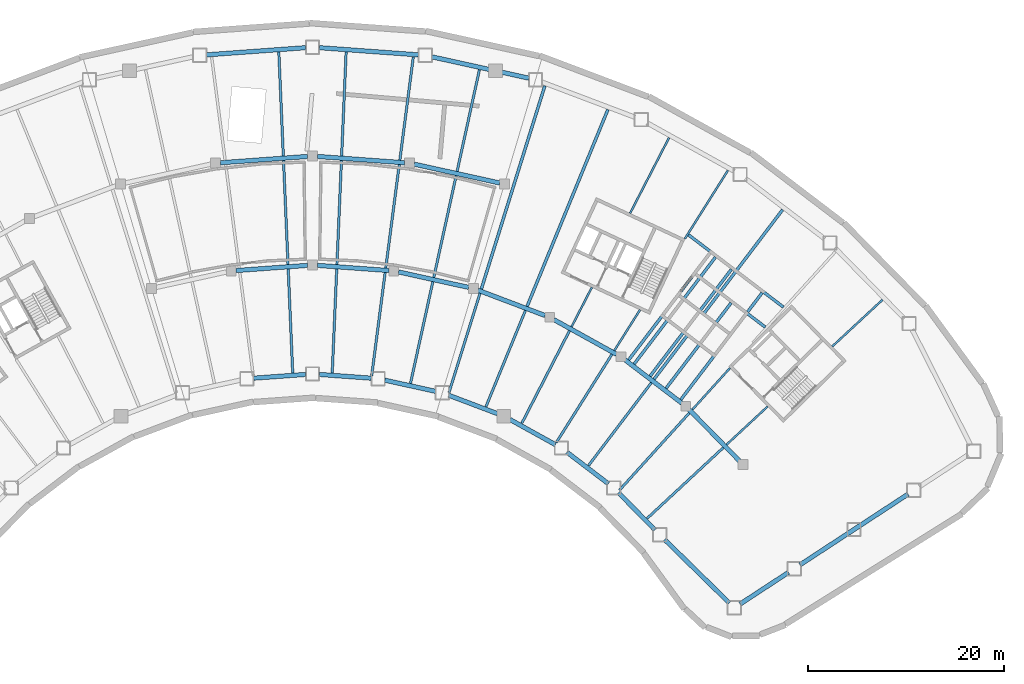
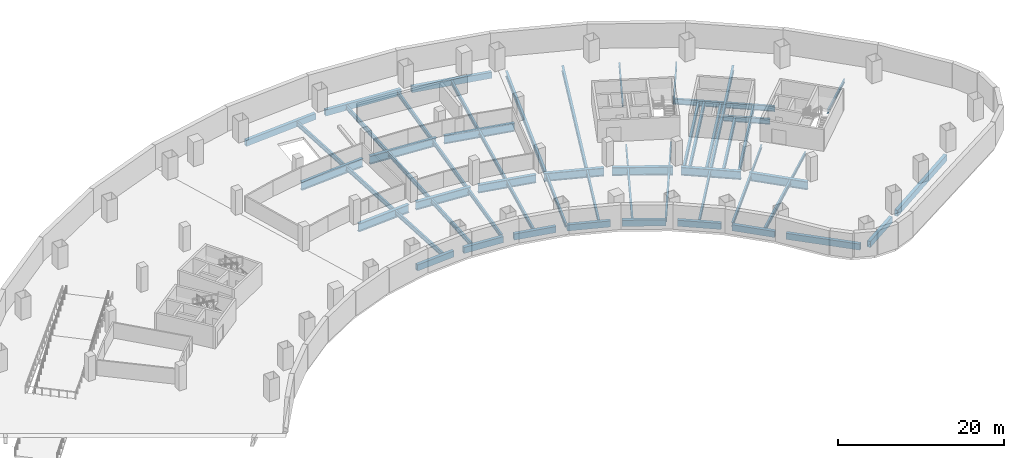
# One storey, part 2 of 10: 61 beams.
"""IFC4 building model written with IfcOpenShell, lengths in metres."""

from ifc_helpers import new_model, si_unit, direction, frame, origin, origin_2d, place, context, subcontext, project, spatial, hollow_rectangle, i_section, extrude, material, material_profile, profile_set, type_object, element, save


model = new_model("IFC4")

# Units and contexts
model_context = context("Model", 3, precision=1e-05, world=origin(), true_north=direction((0.0, 1.0)))
body_context = subcontext(model_context, "Body", "Model", "MODEL_VIEW")
ifc_project = project(units=[si_unit("LENGTHUNIT", "METRE"), si_unit("AREAUNIT", "SQUARE_METRE"), si_unit("VOLUMEUNIT", "CUBIC_METRE"), si_unit("PLANEANGLEUNIT", "RADIAN"), si_unit("MASSUNIT", "GRAM", prefix="KILO")], contexts=[model_context])

# Site, building, storey
site_placement = place(None, origin())
site = spatial("IfcSite", under=ifc_project, at=site_placement, CompositionType="ELEMENT")
building_placement = place(site_placement, origin())
building = spatial("IfcBuilding", under=site, at=building_placement, Name="Tuul Gate Civic Tower", CompositionType="ELEMENT")
storey_placement = place(building_placement, frame((0.0, 0.0, -8.10009765625)))
storey = spatial("IfcBuildingStorey", under=building, at=storey_placement, Name="Basement 2", CompositionType="ELEMENT", Elevation=-8.10009765625)

# Beams
ifc_material_1 = material(Name="Steel S355", Category="steel")
ifc_material_profile_1 = material_profile(ifc_material_1, i_section(OverallWidth=0.199951171875, OverallDepth=0.5, WebThickness=0.010009765625, FlangeThickness=0.01611328125, at=origin_2d()), Name="PG500x200x10x16")
ifc_profile_set_1 = profile_set([ifc_material_profile_1], Name="Steel S355")
beam_type_1 = type_object("IfcBeamType", Name="STR-FLOOR BEAM-PG500x200x10x16", PredefinedType="BEAM", material=ifc_profile_set_1)
beam_1_placement = place(storey_placement, frame((42.313232421875, -20.696533203125, -0.64990234375), z_axis=(0.732672121193, 0.680581782615, 0.0), x_axis=(-0.680581782615, 0.732672121193, 0.0)))
element("IfcBeam", 1, at=beam_1_placement, inside=storey, type_object=beam_type_1, Name="Floor beam", PredefinedType="BEAM", context=body_context, shape_type="SweptSolid", body=[
    extrude(i_section(OverallWidth=0.199951171875, OverallDepth=0.5, WebThickness=0.010009765625, FlangeThickness=0.01611328125, at=origin_2d()), origin(), (0.0, 0.0, 1.0), 5.73193359375),
])
beam_2_placement = place(storey_placement, frame((53.109375, -10.668212890625, -0.64990234375), z_axis=(0.732687862246, 0.680564836381, 0.0), x_axis=(-0.680564836381, 0.732687862246, 0.0)))
element("IfcBeam", 2, at=beam_2_placement, inside=storey, type_object=beam_type_1, Name="Floor beam", PredefinedType="BEAM", context=body_context, shape_type="SweptSolid", body=[
    extrude(i_section(OverallWidth=0.199951171875, OverallDepth=0.5, WebThickness=0.010009765625, FlangeThickness=0.01611328125, at=origin_2d()), origin(), (0.0, 0.0, 1.0), 6.997802734375),
])
beam_3_placement = place(storey_placement, frame((38.812255859375, -17.125, -0.64990234375), z_axis=(0.671102625073, 0.741364462744, 0.0), x_axis=(-0.741364462744, 0.671102625073, 0.0)))
element("IfcBeam", 3, at=beam_3_placement, inside=storey, type_object=beam_type_1, Name="Floor beam", PredefinedType="BEAM", context=body_context, shape_type="SweptSolid", body=[
    extrude(i_section(OverallWidth=0.199951171875, OverallDepth=0.5, WebThickness=0.010009765625, FlangeThickness=0.01611328125, at=origin_2d()), origin(), (0.0, 0.0, 1.0), 5.740234375),
])
beam_4_placement = place(storey_placement, frame((30.841552734375, -11.089599609375, -0.64990234375), z_axis=(0.533401895613, 0.845861937763, 0.0), x_axis=(-0.845861937763, 0.533401895613, 0.0)))
element("IfcBeam", 4, at=beam_4_placement, inside=storey, type_object=beam_type_1, Name="Floor beam", PredefinedType="BEAM", context=body_context, shape_type="SweptSolid", body=[
    extrude(i_section(OverallWidth=0.199951171875, OverallDepth=0.5, WebThickness=0.010009765625, FlangeThickness=0.01611328125, at=origin_2d()), origin(), (0.0, 0.0, 1.0), 4.92724609375),
])
beam_5_placement = place(storey_placement, frame((38.0400390625, 0.325927734375, -0.64990234375), z_axis=(0.53337261638, 0.845880400586, 0.0), x_axis=(-0.845880400586, 0.53337261638, 0.0)))
element("IfcBeam", 5, at=beam_5_placement, inside=storey, type_object=beam_type_1, Name="Floor beam", PredefinedType="BEAM", context=body_context, shape_type="SweptSolid", body=[
    extrude(i_section(OverallWidth=0.199951171875, OverallDepth=0.5, WebThickness=0.010009765625, FlangeThickness=0.01611328125, at=origin_2d()), origin(), (0.0, 0.0, 1.0), 8.263916015625),
])
beam_6_placement = place(storey_placement, frame((26.468017578125, -8.6650390625, -0.64990234375), z_axis=(0.458251317749, 0.88882266498, 0.0), x_axis=(-0.88882266498, 0.458251317749, 0.0)))
element("IfcBeam", 6, at=beam_6_placement, inside=storey, type_object=beam_type_1, Name="Floor beam", PredefinedType="BEAM", context=body_context, shape_type="SweptSolid", body=[
    extrude(i_section(OverallWidth=0.199951171875, OverallDepth=0.5, WebThickness=0.010009765625, FlangeThickness=0.01611328125, at=origin_2d()), origin(), (0.0, 0.0, 1.0), 4.54248046875),
])
beam_7_placement = place(storey_placement, frame((32.447998046875, 2.933349609375, -0.64990234375), z_axis=(0.458265539673, 0.888815332422, 0.0), x_axis=(-0.888815332422, 0.458265539673, 0.0)))
element("IfcBeam", 7, at=beam_7_placement, inside=storey, type_object=beam_type_1, Name="Floor beam", PredefinedType="BEAM", context=body_context, shape_type="SweptSolid", body=[
    extrude(i_section(OverallWidth=0.199951171875, OverallDepth=0.5, WebThickness=0.010009765625, FlangeThickness=0.01611328125, at=origin_2d()), origin(), (0.0, 0.0, 1.0), 8.685302734375),
])
ifc_material_2 = material(Name="Steel S355", Category="steel")
ifc_material_profile_2 = material_profile(ifc_material_2, i_section(OverallWidth=0.25, OverallDepth=0.64990234375, WebThickness=0.011962890625, FlangeThickness=0.02001953125, at=origin_2d()), Name="PG650x250x12x20")
ifc_profile_set_2 = profile_set([ifc_material_profile_2], Name="Steel S355")
beam_type_2 = type_object("IfcBeamType", Name="STR-FLOOR BEAM-PG650x250x12x20", PredefinedType="BEAM", material=ifc_profile_set_2)
beam_8_placement = place(storey_placement, frame((34.19580078125, -28.236572265625, -0.724853515625), z_axis=(0.732685493637, 0.680567386387, 0.0), x_axis=(-0.680567386387, 0.732685493637, 0.0)))
element("IfcBeam", 8, at=beam_8_placement, inside=storey, type_object=beam_type_2, Name="Floor beam", PredefinedType="BEAM", context=body_context, shape_type="SweptSolid", body=[
    extrude(i_section(OverallWidth=0.25, OverallDepth=0.64990234375, WebThickness=0.011962890625, FlangeThickness=0.02001953125, at=origin_2d()), origin(), (0.0, 0.0, 1.0), 10.62890625),
])
beam_9_placement = place(storey_placement, frame((31.366455078125, -25.35009765625, -0.724853515625), z_axis=(0.671117501912, 0.741350995567, 0.0), x_axis=(-0.741350995567, 0.671117501912, 0.0)))
element("IfcBeam", 9, at=beam_9_placement, inside=storey, type_object=beam_type_2, Name="Floor beam", PredefinedType="BEAM", context=body_context, shape_type="SweptSolid", body=[
    extrude(i_section(OverallWidth=0.25, OverallDepth=0.64990234375, WebThickness=0.011962890625, FlangeThickness=0.02001953125, at=origin_2d()), origin(), (0.0, 0.0, 1.0), 10.643798828125),
])
beam_10_placement = place(storey_placement, frame((28.20361328125, -22.83447265625, -0.724853515625), z_axis=(0.604505162529, 0.796601222995, 0.0), x_axis=(-0.796601222995, 0.604505162529, 0.0)))
element("IfcBeam", 10, at=beam_10_placement, inside=storey, type_object=beam_type_2, Name="Floor beam", PredefinedType="BEAM", context=body_context, shape_type="SweptSolid", body=[
    extrude(i_section(OverallWidth=0.25, OverallDepth=0.64990234375, WebThickness=0.011962890625, FlangeThickness=0.02001953125, at=origin_2d()), origin(), (0.0, 0.0, 1.0), 10.625),
])
beam_11_placement = place(storey_placement, frame((24.9248046875, -20.47265625, -0.724853515625), z_axis=(0.533386929433, 0.845871375275, 0.0), x_axis=(-0.845871375275, 0.533386929433, 0.0)))
element("IfcBeam", 11, at=beam_11_placement, inside=storey, type_object=beam_type_2, Name="Floor beam", PredefinedType="BEAM", context=body_context, shape_type="SweptSolid", body=[
    extrude(i_section(OverallWidth=0.25, OverallDepth=0.64990234375, WebThickness=0.011962890625, FlangeThickness=0.02001953125, at=origin_2d()), origin(), (0.0, 0.0, 1.0), 10.641845703125),
])
beam_12_placement = place(storey_placement, frame((21.390380859375, -18.512939453125, -0.724853515625), z_axis=(0.45825908174, 0.888818662047, 0.0), x_axis=(-0.888818662047, 0.45825908174, 0.0)))
element("IfcBeam", 12, at=beam_12_placement, inside=storey, type_object=beam_type_2, Name="Floor beam", PredefinedType="BEAM", context=body_context, shape_type="SweptSolid", body=[
    extrude(i_section(OverallWidth=0.25, OverallDepth=0.64990234375, WebThickness=0.011962890625, FlangeThickness=0.02001953125, at=origin_2d()), origin(), (0.0, 0.0, 1.0), 10.629638671875),
])
beam_13_placement = place(storey_placement, frame((17.722900390625, -16.822021484375, -0.724853515625), z_axis=(0.379704054961, 0.92510801026, 0.0), x_axis=(-0.92510801026, 0.379704054961, 0.0)))
element("IfcBeam", 13, at=beam_13_placement, inside=storey, type_object=beam_type_2, Name="Floor beam", PredefinedType="BEAM", context=body_context, shape_type="SweptSolid", body=[
    extrude(i_section(OverallWidth=0.25, OverallDepth=0.64990234375, WebThickness=0.011962890625, FlangeThickness=0.02001953125, at=origin_2d()), origin(), (0.0, 0.0, 1.0), 10.629150390625),
])
beam_14_placement = place(storey_placement, frame((13.9423828125, -15.392822265625, -0.724853515625), z_axis=(0.298314175954, 0.954467732522, 0.0), x_axis=(-0.954467732522, 0.298314175954, 0.0)))
element("IfcBeam", 14, at=beam_14_placement, inside=storey, type_object=beam_type_2, Name="Floor beam", PredefinedType="BEAM", context=body_context, shape_type="SweptSolid", body=[
    extrude(i_section(OverallWidth=0.25, OverallDepth=0.64990234375, WebThickness=0.011962890625, FlangeThickness=0.02001953125, at=origin_2d()), origin(), (0.0, 0.0, 1.0), 10.643310546875),
])
beam_15_placement = place(storey_placement, frame((10.016845703125, -14.432861328125, -0.724853515625), z_axis=(0.21468424909, 0.976683507178, 0.0), x_axis=(-0.976683507178, 0.21468424909, 0.0)))
element("IfcBeam", 15, at=beam_15_placement, inside=storey, type_object=beam_type_2, Name="Floor beam", PredefinedType="BEAM", context=body_context, shape_type="SweptSolid", body=[
    extrude(i_section(OverallWidth=0.25, OverallDepth=0.64990234375, WebThickness=0.011962890625, FlangeThickness=0.02001953125, at=origin_2d()), origin(), (0.0, 0.0, 1.0), 10.625),
])
beam_16_placement = place(storey_placement, frame((12.39453125, -3.6162109375, -0.724853515625), z_axis=(0.214701726188, 0.976679665383, 0.0), x_axis=(-0.976679665383, 0.214701726188, 0.0)))
element("IfcBeam", 16, at=beam_16_placement, inside=storey, type_object=beam_type_2, Name="Floor beam", PredefinedType="BEAM", context=body_context, shape_type="SweptSolid", body=[
    extrude(i_section(OverallWidth=0.25, OverallDepth=0.64990234375, WebThickness=0.011962890625, FlangeThickness=0.02001953125, at=origin_2d()), origin(), (0.0, 0.0, 1.0), 10.650146484375),
])
beam_17_placement = place(storey_placement, frame((14.77783203125, 7.22509765625, -0.724853515625), z_axis=(0.214679431183, 0.976684566186, 0.0), x_axis=(-0.976684566186, 0.214679431183, 0.0)))
element("IfcBeam", 17, at=beam_17_placement, inside=storey, type_object=beam_type_2, Name="Floor beam", PredefinedType="BEAM", context=body_context, shape_type="SweptSolid", body=[
    extrude(i_section(OverallWidth=0.25, OverallDepth=0.64990234375, WebThickness=0.011962890625, FlangeThickness=0.02001953125, at=origin_2d()), origin(), (0.0, 0.0, 1.0), 10.625244140625),
])
beam_18_placement = place(storey_placement, frame((6.05029296875, -13.660888671875, -0.724853515625), z_axis=(0.129450984253, 0.991585822143, 0.0), x_axis=(-0.991585822143, 0.129450984253, 0.0)))
element("IfcBeam", 18, at=beam_18_placement, inside=storey, type_object=beam_type_2, Name="Floor beam", PredefinedType="BEAM", context=body_context, shape_type="SweptSolid", body=[
    extrude(i_section(OverallWidth=0.25, OverallDepth=0.64990234375, WebThickness=0.011962890625, FlangeThickness=0.02001953125, at=origin_2d()), origin(), (0.0, 0.0, 1.0), 10.642578125),
])
beam_19_placement = place(storey_placement, frame((7.486572265625, -2.660888671875, -0.724853515625), z_axis=(0.129466374982, 0.991583812771, 0.0), x_axis=(-0.991583812771, 0.129466374982, 0.0)))
element("IfcBeam", 19, at=beam_19_placement, inside=storey, type_object=beam_type_2, Name="Floor beam", PredefinedType="BEAM", context=body_context, shape_type="SweptSolid", body=[
    extrude(i_section(OverallWidth=0.25, OverallDepth=0.64990234375, WebThickness=0.011962890625, FlangeThickness=0.02001953125, at=origin_2d()), origin(), (0.0, 0.0, 1.0), 10.667724609375),
])
beam_20_placement = place(storey_placement, frame((8.926025390625, 8.364013671875, -0.724853515625), z_axis=(0.129448039688, 0.99158620655, 0.0), x_axis=(-0.99158620655, 0.129448039688, 0.0)))
element("IfcBeam", 20, at=beam_20_placement, inside=storey, type_object=beam_type_2, Name="Floor beam", PredefinedType="BEAM", context=body_context, shape_type="SweptSolid", body=[
    extrude(i_section(OverallWidth=0.25, OverallDepth=0.64990234375, WebThickness=0.011962890625, FlangeThickness=0.02001953125, at=origin_2d()), origin(), (0.0, 0.0, 1.0), 10.642822265625),
])
beam_21_placement = place(storey_placement, frame((2.019287109375, -13.36865234375, -0.724853515625), z_axis=(0.043272760157, 0.999063295406, 0.0), x_axis=(-0.999063295406, 0.043272760157, 0.0)))
element("IfcBeam", 21, at=beam_21_placement, inside=storey, type_object=beam_type_2, Name="Floor beam", PredefinedType="BEAM", context=body_context, shape_type="SweptSolid", body=[
    extrude(i_section(OverallWidth=0.25, OverallDepth=0.64990234375, WebThickness=0.011962890625, FlangeThickness=0.02001953125, at=origin_2d()), origin(), (0.0, 0.0, 1.0), 10.62939453125),
])
beam_22_placement = place(storey_placement, frame((2.49853515625, -2.299560546875, -0.724853515625), z_axis=(0.043262210192, 0.999063752305, 0.0), x_axis=(-0.999063752305, 0.043262210192, 0.0)))
element("IfcBeam", 22, at=beam_22_placement, inside=storey, type_object=beam_type_2, Name="Floor beam", PredefinedType="BEAM", context=body_context, shape_type="SweptSolid", body=[
    extrude(i_section(OverallWidth=0.25, OverallDepth=0.64990234375, WebThickness=0.011962890625, FlangeThickness=0.02001953125, at=origin_2d()), origin(), (0.0, 0.0, 1.0), 10.654541015625),
])
for number, where, z_axis, x_axis, name in (
    (23, (2.97900390625, 8.794921875, -0.724853515625), (0.043272760157, 0.999063295406, 0.0), (-0.999063295406, 0.043272760157, 0.0), "Floor beam"),
    (24, (-2.019287109375, -13.36865234375, -0.724853515625), (-0.043272760157, 0.999063295406, 0.0), (-0.999063295406, -0.043272760157, 0.0), "Floor beam"),
):
    element("IfcBeam", number, at=place(storey_placement, frame(where, z_axis=z_axis, x_axis=x_axis)), inside=storey, type_object=beam_type_2, Name=name, PredefinedType="BEAM", context=body_context, shape_type="SweptSolid", body=[
        extrude(i_section(OverallWidth=0.25, OverallDepth=0.64990234375, WebThickness=0.011962890625, FlangeThickness=0.02001953125, at=origin_2d()), origin(), (0.0, 0.0, 1.0), 10.62939453125),
    ])
beam_23_placement = place(storey_placement, frame((-2.49853515625, -2.299560546875, -0.724853515625), z_axis=(-0.043262210192, 0.999063752305, 0.0), x_axis=(-0.999063752305, -0.043262210192, 0.0)))
element("IfcBeam", 25, at=beam_23_placement, inside=storey, type_object=beam_type_2, Name="Floor beam", PredefinedType="BEAM", context=body_context, shape_type="SweptSolid", body=[
    extrude(i_section(OverallWidth=0.25, OverallDepth=0.64990234375, WebThickness=0.011962890625, FlangeThickness=0.02001953125, at=origin_2d()), origin(), (0.0, 0.0, 1.0), 10.654541015625),
])
beam_24_placement = place(storey_placement, frame((-2.97900390625, 8.794921875, -0.724853515625), z_axis=(-0.043272760157, 0.999063295406, 0.0), x_axis=(-0.999063295406, -0.043272760157, 0.0)))
element("IfcBeam", 26, at=beam_24_placement, inside=storey, type_object=beam_type_2, Name="Floor beam", PredefinedType="BEAM", context=body_context, shape_type="SweptSolid", body=[
    extrude(i_section(OverallWidth=0.25, OverallDepth=0.64990234375, WebThickness=0.011962890625, FlangeThickness=0.02001953125, at=origin_2d()), origin(), (0.0, 0.0, 1.0), 10.62939453125),
])
ifc_material_3 = material(Name="Steel S355", Category="steel")
ifc_material_profile_3 = material_profile(ifc_material_3, i_section(OverallWidth=0.300048828125, OverallDepth=0.800048828125, WebThickness=0.013916015625, FlangeThickness=0.02490234375, at=origin_2d()), Name="PG800x300x14x25")
ifc_profile_set_3 = profile_set([ifc_material_profile_3], Name="Steel S355")
beam_type_3 = type_object("IfcBeamType", Name="STR-FLOOR BEAM-PG800x300x14x25", PredefinedType="BEAM", material=ifc_profile_set_3)
beam_25_placement = place(storey_placement, frame((34.8984375, -14.01220703125, -0.7998046875), z_axis=(0.604510682642, 0.796597033996, 0.0), x_axis=(-0.796597033996, 0.604510682642, 0.0)))
element("IfcBeam", 27, at=beam_25_placement, inside=storey, type_object=beam_type_3, Name="Floor beam", PredefinedType="BEAM", context=body_context, shape_type="SweptSolid", body=[
    extrude(i_section(OverallWidth=0.300048828125, OverallDepth=0.800048828125, WebThickness=0.013916015625, FlangeThickness=0.02490234375, at=origin_2d()), origin(), (0.0, 0.0, 1.0), 21.72509765625),
])
beam_26_placement = place(storey_placement, frame((21.9296875, -6.572509765625, -0.7998046875), z_axis=(0.379721285289, 0.925100938005, 0.0), x_axis=(-0.925100938005, 0.379721285289, 0.0)))
element("IfcBeam", 28, at=beam_26_placement, inside=storey, type_object=beam_type_3, Name="Floor beam", PredefinedType="BEAM", context=body_context, shape_type="SweptSolid", body=[
    extrude(i_section(OverallWidth=0.300048828125, OverallDepth=0.800048828125, WebThickness=0.013916015625, FlangeThickness=0.02490234375, at=origin_2d()), origin(), (0.0, 0.0, 1.0), 21.733642578125),
])
beam_27_placement = place(storey_placement, frame((17.251953125, -4.803955078125, -0.7998046875), z_axis=(0.298320984436, 0.954465604537, 0.0), x_axis=(-0.954465604537, 0.298320984436, 0.0)))
element("IfcBeam", 29, at=beam_27_placement, inside=storey, type_object=beam_type_3, Name="Floor beam", PredefinedType="BEAM", context=body_context, shape_type="SweptSolid", body=[
    extrude(i_section(OverallWidth=0.300048828125, OverallDepth=0.800048828125, WebThickness=0.013916015625, FlangeThickness=0.02490234375, at=origin_2d()), origin(), (0.0, 0.0, 1.0), 21.762451171875),
])
beam_28_placement = place(storey_placement, frame((46.273193359375, -8.69677734375, -0.7998046875), z_axis=(-0.795561537196, 0.605872792371, 0.0), x_axis=(-0.605872792371, -0.795561537196, 0.0)))
element("IfcBeam", 30, at=beam_28_placement, inside=storey, type_object=beam_type_3, Name="Floor beam", PredefinedType="BEAM", context=body_context, shape_type="SweptSolid", body=[
    extrude(i_section(OverallWidth=0.300048828125, OverallDepth=0.800048828125, WebThickness=0.013916015625, FlangeThickness=0.02490234375, at=origin_2d()), origin(), (0.0, 0.0, 1.0), 5.69775390625),
])
beam_29_placement = place(storey_placement, frame((48.125244140625, -6.65087890625, -0.7998046875), z_axis=(-0.795556322653, 0.60587963944, 0.0), x_axis=(-0.60587963944, -0.795556322653, 0.0)))
element("IfcBeam", 31, at=beam_29_placement, inside=storey, type_object=beam_type_3, Name="Floor beam", PredefinedType="BEAM", context=body_context, shape_type="SweptSolid", body=[
    extrude(i_section(OverallWidth=0.300048828125, OverallDepth=0.800048828125, WebThickness=0.013916015625, FlangeThickness=0.02490234375, at=origin_2d()), origin(), (0.0, 0.0, 1.0), 5.936279296875),
])
beam_30_placement = place(storey_placement, frame((43.163818359375, -2.872314453125, -0.7998046875), z_axis=(-0.795576431938, 0.605853233832, 0.0), x_axis=(-0.605853233832, -0.795576431938, 0.0)))
element("IfcBeam", 32, at=beam_30_placement, inside=storey, type_object=beam_type_3, Name="Floor beam", PredefinedType="BEAM", context=body_context, shape_type="SweptSolid", body=[
    extrude(i_section(OverallWidth=0.300048828125, OverallDepth=0.800048828125, WebThickness=0.013916015625, FlangeThickness=0.02490234375, at=origin_2d()), origin(), (0.0, 0.0, 1.0), 5.963134765625),
])
beam_31_placement = place(storey_placement, frame((37.637939453125, -16.097900390625, -0.7998046875), z_axis=(0.605760204892, 0.79564726743, 0.0), x_axis=(-0.79564726743, 0.605760204892, 0.0)))
element("IfcBeam", 33, at=beam_31_placement, inside=storey, type_object=beam_type_3, Name="Floor beam", PredefinedType="BEAM", context=body_context, shape_type="SweptSolid", body=[
    extrude(i_section(OverallWidth=0.300048828125, OverallDepth=0.800048828125, WebThickness=0.013916015625, FlangeThickness=0.02490234375, at=origin_2d()), origin(), (0.0, 0.0, 1.0), 10.9697265625),
])
beam_32_placement = place(storey_placement, frame((44.46484375, -7.131103515625, -0.7998046875), z_axis=(0.605787976267, 0.795626123132, 0.0), x_axis=(-0.795626123132, 0.605787976267, 0.0)))
element("IfcBeam", 34, at=beam_32_placement, inside=storey, type_object=beam_type_3, Name="Floor beam", PredefinedType="BEAM", context=body_context, shape_type="SweptSolid", body=[
    extrude(i_section(OverallWidth=0.300048828125, OverallDepth=0.800048828125, WebThickness=0.013916015625, FlangeThickness=0.02490234375, at=origin_2d()), origin(), (0.0, 0.0, 1.0), 2.449951171875),
])
beam_33_placement = place(storey_placement, frame((36.12646484375, -14.947021484375, -0.7998046875), z_axis=(0.605749478335, 0.795655433902, 0.0), x_axis=(-0.795655433902, 0.605749478335, 0.0)))
element("IfcBeam", 35, at=beam_33_placement, inside=storey, type_object=beam_type_3, Name="Floor beam", PredefinedType="BEAM", context=body_context, shape_type="SweptSolid", body=[
    extrude(i_section(OverallWidth=0.300048828125, OverallDepth=0.800048828125, WebThickness=0.013916015625, FlangeThickness=0.02490234375, at=origin_2d()), origin(), (0.0, 0.0, 1.0), 10.969970703125),
])
beam_34_placement = place(storey_placement, frame((34.495361328125, -13.705078125, -0.7998046875), z_axis=(0.605741329532, 0.795661637693, 0.0), x_axis=(-0.795661637693, 0.605741329532, 0.0)))
element("IfcBeam", 36, at=beam_34_placement, inside=storey, type_object=beam_type_3, Name="Floor beam", PredefinedType="BEAM", context=body_context, shape_type="SweptSolid", body=[
    extrude(i_section(OverallWidth=0.300048828125, OverallDepth=0.800048828125, WebThickness=0.013916015625, FlangeThickness=0.02490234375, at=origin_2d()), origin(), (0.0, 0.0, 1.0), 13.719970703125),
])
for number, where, z_axis, x_axis, name in (
    (37, (32.8642578125, -12.46337890625, -0.7998046875), (0.605744018424, 0.795659590619, 0.0), (-0.795659590619, 0.605744018424, 0.0), "Floor beam"),
    (38, (32.307373046875, -12.039306640625, -0.7998046875), (0.605755283177, 0.795651014518, 0.0), (-0.795651014518, 0.605755283177, 0.0), "Floor beam"),
):
    element("IfcBeam", number, at=place(storey_placement, frame(where, z_axis=z_axis, x_axis=x_axis)), inside=storey, type_object=beam_type_3, Name=name, PredefinedType="BEAM", context=body_context, shape_type="SweptSolid", body=[
        extrude(i_section(OverallWidth=0.300048828125, OverallDepth=0.800048828125, WebThickness=0.013916015625, FlangeThickness=0.02490234375, at=origin_2d()), origin(), (0.0, 0.0, 1.0), 13.720458984375),
    ])
ifc_material_4 = material(Name="Steel S355", Category="steel")
ifc_material_profile_4 = material_profile(ifc_material_4, i_section(OverallWidth=0.449951171875, OverallDepth=1.199951171875, WebThickness=0.02001953125, FlangeThickness=0.0400390625, at=origin_2d()), Name="PG1200x450x20x40")
ifc_profile_set_4 = profile_set([ifc_material_profile_4], Name="Steel S355")
beam_type_4 = type_object("IfcBeamType", Name="STR-RING BEAM-PG1200x450x20x40", PredefinedType="BEAM", material=ifc_profile_set_4)
for number, where, z_axis, x_axis, name in (
    (39, (-9.41357421875, 8.10302734375, -1.0), (0.997386793106, 0.072246694996, 0.0), (-0.072246694996, 0.997386793106, 0.0), "Ring girder"),
    (40, (0.498779296875, 8.748779296875, -1.0), (0.997386793106, -0.072246694996, 0.0), (0.072246694996, 0.997386793106, 0.0), "Ring girder"),
):
    element("IfcBeam", number, at=place(storey_placement, frame(where, z_axis=z_axis, x_axis=x_axis)), inside=storey, type_object=beam_type_4, Name=name, PredefinedType="BEAM", context=body_context, shape_type="SweptSolid", body=[
        extrude(i_section(OverallWidth=0.449951171875, OverallDepth=1.199951171875, WebThickness=0.02001953125, FlangeThickness=0.0400390625, at=origin_2d()), origin(), (0.0, 0.0, 1.0), 8.938232421875),
    ])
beam_35_placement = place(storey_placement, frame((10.400634765625, 7.95947265625, -1.0), z_axis=(0.976563468048, -0.215229628244, 0.0), x_axis=(0.215229628244, 0.976563468048, 0.0)))
element("IfcBeam", 41, at=beam_35_placement, inside=storey, type_object=beam_type_4, Name="Ring girder", PredefinedType="BEAM", context=body_context, shape_type="SweptSolid", body=[
    extrude(i_section(OverallWidth=0.449951171875, OverallDepth=1.199951171875, WebThickness=0.02001953125, FlangeThickness=0.0400390625, at=origin_2d()), origin(), (0.0, 0.0, 1.0), 8.9384765625),
])
for number, where, z_axis, x_axis, name in (
    (42, (-7.81005859375, -2.909912109375, -1.0), (0.997384969951, 0.072271859779, 0.0), (-0.072271859779, 0.997384969951, 0.0), "Ring girder"),
    (43, (0.498779296875, -2.380126953125, -1.0), (0.997384969951, -0.072271859779, 0.0), (0.072271859779, 0.997384969951, 0.0), "Ring girder"),
):
    element("IfcBeam", number, at=place(storey_placement, frame(where, z_axis=z_axis, x_axis=x_axis)), inside=storey, type_object=beam_type_4, Name=name, PredefinedType="BEAM", context=body_context, shape_type="SweptSolid", body=[
        extrude(i_section(OverallWidth=0.449951171875, OverallDepth=1.199951171875, WebThickness=0.02001953125, FlangeThickness=0.0400390625, at=origin_2d()), origin(), (0.0, 0.0, 1.0), 7.33056640625),
    ])
beam_36_placement = place(storey_placement, frame((8.796875, -3.0537109375, -1.0), z_axis=(0.97656794967, -0.215209292731, 0.0), x_axis=(0.215209292731, 0.97656794967, 0.0)))
element("IfcBeam", 44, at=beam_36_placement, inside=storey, type_object=beam_type_4, Name="Ring girder", PredefinedType="BEAM", context=body_context, shape_type="SweptSolid", body=[
    extrude(i_section(OverallWidth=0.449951171875, OverallDepth=1.199951171875, WebThickness=0.02001953125, FlangeThickness=0.0400390625, at=origin_2d()), origin(), (0.0, 0.0, 1.0), 7.330810546875),
])
beam_37_placement = place(storey_placement, frame((16.91162109375, -4.915771484375, -1.0), z_axis=(0.935382755179, -0.353636962595, 0.0), x_axis=(0.353636962595, 0.935382755179, 0.0)))
element("IfcBeam", 45, at=beam_37_placement, inside=storey, type_object=beam_type_4, Name="Ring girder", PredefinedType="BEAM", context=body_context, shape_type="SweptSolid", body=[
    extrude(i_section(OverallWidth=0.449951171875, OverallDepth=1.199951171875, WebThickness=0.02001953125, FlangeThickness=0.0400390625, at=origin_2d()), origin(), (0.0, 0.0, 1.0), 7.330322265625),
])
beam_38_placement = place(storey_placement, frame((24.67333984375, -7.927490234375, -1.0), z_axis=(0.874595196089, -0.484853836717, 0.0), x_axis=(0.484853836717, 0.874595196089, 0.0)))
element("IfcBeam", 46, at=beam_38_placement, inside=storey, type_object=beam_type_4, Name="Ring girder", PredefinedType="BEAM", context=body_context, shape_type="SweptSolid", body=[
    extrude(i_section(OverallWidth=0.449951171875, OverallDepth=1.199951171875, WebThickness=0.02001953125, FlangeThickness=0.0400390625, at=origin_2d()), origin(), (0.0, 0.0, 1.0), 7.3310546875),
])
beam_39_placement = place(storey_placement, frame((31.920166015625, -12.02734375, -1.0), z_axis=(0.795630466158, -0.605782272207, 0.0), x_axis=(0.605782272207, 0.795630466158, 0.0)))
element("IfcBeam", 47, at=beam_39_placement, inside=storey, type_object=beam_type_4, Name="Ring girder", PredefinedType="BEAM", context=body_context, shape_type="SweptSolid", body=[
    extrude(i_section(OverallWidth=0.449951171875, OverallDepth=1.199951171875, WebThickness=0.02001953125, FlangeThickness=0.0400390625, at=origin_2d()), origin(), (0.0, 0.0, 1.0), 7.330078125),
])
beam_40_placement = place(storey_placement, frame((38.5, -17.127685546875, -1.0), z_axis=(0.699994492155, -0.71414824158, 0.0), x_axis=(0.71414824158, 0.699994492155, 0.0)))
element("IfcBeam", 48, at=beam_40_placement, inside=storey, type_object=beam_type_4, Name="Ring girder", PredefinedType="BEAM", context=body_context, shape_type="SweptSolid", body=[
    extrude(i_section(OverallWidth=0.449951171875, OverallDepth=1.199951171875, WebThickness=0.02001953125, FlangeThickness=0.0400390625, at=origin_2d()), origin(), (0.0, 0.0, 1.0), 7.330810546875),
])
ifc_material_5 = material(Name="Steel S355", Category="steel")
ifc_material_profile_5 = material_profile(ifc_material_5, hollow_rectangle(XDim=0.449951171875, YDim=0.89990234375, WallThickness=0.02490234375, at=origin_2d()), Name="BOX900x450x25")
ifc_profile_set_5 = profile_set([ifc_material_profile_5], Name="Steel S355")
beam_type_5 = type_object("IfcBeamType", Name="STR-SPANDREL BEAM-BOX900x450x25", PredefinedType="BEAM", material=ifc_profile_set_5)
beam_41_placement = place(storey_placement, frame((22.1083984375, 16.74560546875, -0.849853515625), z_axis=(-0.976563206365, 0.215230815575, 0.0), x_axis=(-0.215230815575, -0.976563206365, 0.0)))
element("IfcBeam", 49, at=beam_41_placement, inside=storey, type_object=beam_type_5, Name="Spandrel beam", PredefinedType="BEAM", context=body_context, shape_type="SweptSolid", body=[
    extrude(hollow_rectangle(XDim=0.449951171875, YDim=0.89990234375, WallThickness=0.02490234375, at=origin_2d()), origin(), (0.0, 0.0, 1.0), 10.146484375),
])
for number, where, z_axis, x_axis, name in (
    (50, (10.81787109375, 19.130615234375, -0.849853515625), (-0.997387610721, 0.072235406692, 0.0), (-0.072235406692, -0.997387610721, 0.0), "Spandrel beam"),
    (51, (-0.6982421875, 19.863525390625, -0.849853515625), (-0.997387610721, -0.072235406692, 0.0), (0.072235406692, -0.997387610721, 0.0), "Spandrel beam"),
):
    element("IfcBeam", number, at=place(storey_placement, frame(where, z_axis=z_axis, x_axis=x_axis)), inside=storey, type_object=beam_type_5, Name=name, PredefinedType="BEAM", context=body_context, shape_type="SweptSolid", body=[
        extrude(hollow_rectangle(XDim=0.449951171875, YDim=0.89990234375, WallThickness=0.02490234375, at=origin_2d()), origin(), (0.0, 0.0, 1.0), 10.146240234375),
    ])
for number, where, z_axis, x_axis, name in (
    (52, (-6.0068359375, -13.908447265625, -0.849853515625), (0.997383645768, 0.072290131794, 0.0), (-0.072290131794, 0.997383645768, 0.0), "Spandrel beam"),
    (53, (0.6982421875, -13.523681640625, -0.849853515625), (0.997383645768, -0.072290131794, 0.0), (0.072290131794, 0.997383645768, 0.0), "Spandrel beam"),
    (54, (7.388671875, -14.109619140625, -0.849853515625), (0.976555830426, -0.215264279577, 0.0), (0.215264279577, 0.976555830426, 0.0), "Spandrel beam"),
):
    element("IfcBeam", number, at=place(storey_placement, frame(where, z_axis=z_axis, x_axis=x_axis)), inside=storey, type_object=beam_type_5, Name=name, PredefinedType="BEAM", context=body_context, shape_type="SweptSolid", body=[
        extrude(hollow_rectangle(XDim=0.449951171875, YDim=0.89990234375, WallThickness=0.02490234375, at=origin_2d()), origin(), (0.0, 0.0, 1.0), 5.322509765625),
    ])
beam_42_placement = place(storey_placement, frame((13.9248046875, -15.653564453125, -0.849853515625), z_axis=(0.935406025935, -0.353575404468, 0.0), x_axis=(0.353575404468, 0.935406025935, 0.0)))
element("IfcBeam", 55, at=beam_42_placement, inside=storey, type_object=beam_type_5, Name="Spandrel beam", PredefinedType="BEAM", context=body_context, shape_type="SweptSolid", body=[
    extrude(hollow_rectangle(XDim=0.449951171875, YDim=0.89990234375, WallThickness=0.02490234375, at=origin_2d()), origin(), (0.0, 0.0, 1.0), 5.322265625),
])
beam_43_placement = place(storey_placement, frame((20.170166015625, -18.122314453125, -0.849853515625), z_axis=(0.87456368019, -0.484910681769, 0.0), x_axis=(0.484910681769, 0.87456368019, 0.0)))
element("IfcBeam", 56, at=beam_43_placement, inside=storey, type_object=beam_type_5, Name="Spandrel beam", PredefinedType="BEAM", context=body_context, shape_type="SweptSolid", body=[
    extrude(hollow_rectangle(XDim=0.449951171875, YDim=0.89990234375, WallThickness=0.02490234375, at=origin_2d()), origin(), (0.0, 0.0, 1.0), 5.3232421875),
])
beam_44_placement = place(storey_placement, frame((25.994873046875, -21.467041015625, -0.849853515625), z_axis=(0.795624397763, -0.605790242315, 0.0), x_axis=(0.605790242315, 0.795624397763, 0.0)))
element("IfcBeam", 57, at=beam_44_placement, inside=storey, type_object=beam_type_5, Name="Spandrel beam", PredefinedType="BEAM", context=body_context, shape_type="SweptSolid", body=[
    extrude(hollow_rectangle(XDim=0.449951171875, YDim=0.89990234375, WallThickness=0.02490234375, at=origin_2d()), origin(), (0.0, 0.0, 1.0), 5.32177734375),
])
beam_45_placement = place(storey_placement, frame((31.276123046875, -25.614990234375, -0.849853515625), z_axis=(0.700007662648, -0.714135331876, 0.0), x_axis=(0.714135331876, 0.700007662648, 0.0)))
element("IfcBeam", 58, at=beam_45_placement, inside=storey, type_object=beam_type_5, Name="Spandrel beam", PredefinedType="BEAM", context=body_context, shape_type="SweptSolid", body=[
    extrude(hollow_rectangle(XDim=0.449951171875, YDim=0.89990234375, WallThickness=0.02490234375, at=origin_2d()), origin(), (0.0, 0.0, 1.0), 5.322509765625),
])
beam_46_placement = place(storey_placement, frame((35.991943359375, -30.406005859375, -0.849853515625), z_axis=(0.714257932821, -0.699882565437, 0.0), x_axis=(0.699882565437, 0.714257932821, 0.0)))
element("IfcBeam", 59, at=beam_46_placement, inside=storey, type_object=beam_type_5, Name="Spandrel beam", PredefinedType="BEAM", context=body_context, shape_type="SweptSolid", body=[
    extrude(hollow_rectangle(XDim=0.449951171875, YDim=0.89990234375, WallThickness=0.02490234375, at=origin_2d()), origin(), (0.0, 0.0, 1.0), 9.255859375),
])
beam_47_placement = place(storey_placement, frame((43.688720703125, -36.99072265625, -0.849853515625), z_axis=(0.836737319566, 0.547604472265, 0.0), x_axis=(-0.547604472265, 0.836737319566, 0.0)))
element("IfcBeam", 60, at=beam_47_placement, inside=storey, type_object=beam_type_5, Name="Spandrel beam", PredefinedType="BEAM", context=body_context, shape_type="SweptSolid", body=[
    extrude(hollow_rectangle(XDim=0.449951171875, YDim=0.89990234375, WallThickness=0.02490234375, at=origin_2d()), origin(), (0.0, 0.0, 1.0), 5.908203125),
])
beam_48_placement = place(storey_placement, frame((49.8037109375, -32.98876953125, -0.849853515625), z_axis=(0.836741071493, 0.547598739294, 0.0), x_axis=(-0.547598739294, 0.836741071493, 0.0)))
element("IfcBeam", 61, at=beam_48_placement, inside=storey, type_object=beam_type_5, Name="Spandrel beam", PredefinedType="BEAM", context=body_context, shape_type="SweptSolid", body=[
    extrude(hollow_rectangle(XDim=0.449951171875, YDim=0.89990234375, WallThickness=0.02490234375, at=origin_2d()), origin(), (0.0, 0.0, 1.0), 13.215087890625),
])

save(model, "model.ifc")
